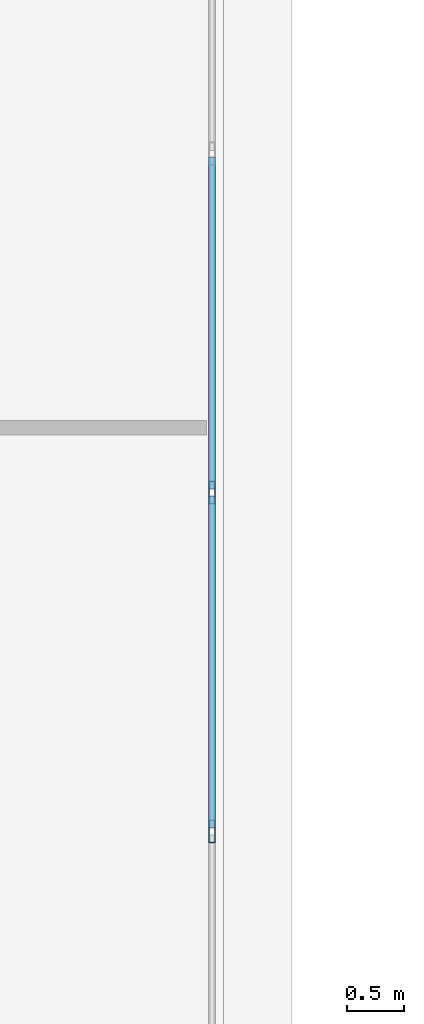
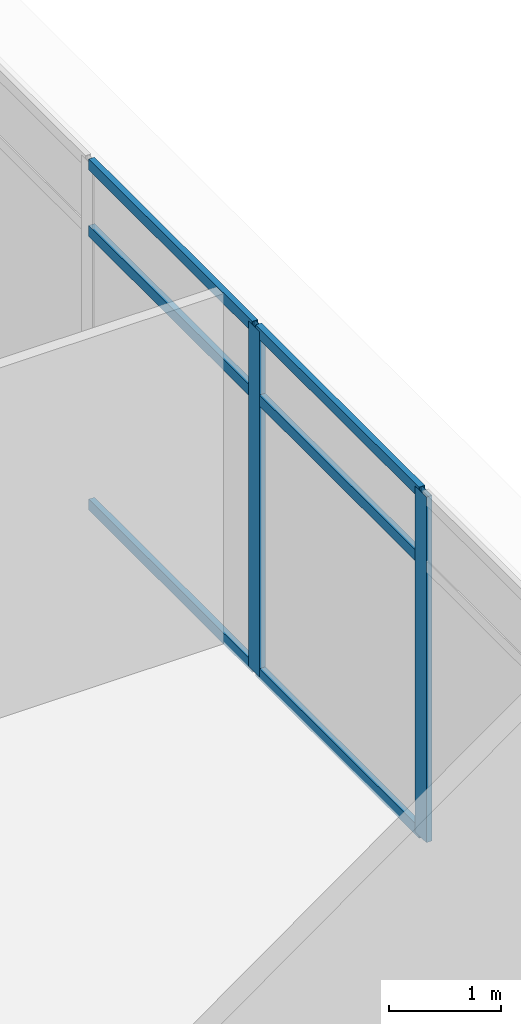
# One storey, part 21 of 38: 8 members, 1 element without a shape of its own.
"""IFC4 building model written with IfcOpenShell, lengths in metres."""

from ifc_helpers import new_model, si_unit, direction, frame, origin, origin_2d, place, context, subcontext, project, spatial, hollow_rectangle, extrude, source, transform, mapped, material, material_profile, profile_set, type_object, element, aggregate, save


model = new_model("IFC4")

# Units and contexts
model_context = context("Model", 3, precision=1e-05, world=origin(), true_north=direction((0.0, 1.0)))
body_context = subcontext(model_context, "Body", "Model", "MODEL_VIEW")
ifc_project = project(units=[si_unit("LENGTHUNIT", "METRE"), si_unit("AREAUNIT", "SQUARE_METRE"), si_unit("VOLUMEUNIT", "CUBIC_METRE"), si_unit("PLANEANGLEUNIT", "RADIAN"), si_unit("MASSUNIT", "GRAM", prefix="KILO")], contexts=[model_context])

# Site, building, storey
site_placement = place(None, origin())
site = spatial("IfcSite", under=ifc_project, at=site_placement, CompositionType="ELEMENT")
building_placement = place(site_placement, origin())
building = spatial("IfcBuilding", under=site, at=building_placement, Name="Khomas Fold Tower", CompositionType="ELEMENT")
storey_placement = place(building_placement, frame((0.0, 0.0, 172.699951171875)))
storey = spatial("IfcBuildingStorey", under=building, at=storey_placement, Name="L37", CompositionType="ELEMENT", Elevation=172.699951171875)

# Curtain wall, members
ifc_material_1 = material(Name="Aluminium framed double glazing", Category="aluminium")
curtain_wall_type = type_object("IfcCurtainWallType", Name="Notch glazing GN-CW", PredefinedType="NOTDEFINED", material=ifc_material_1)
curtain_wall_placement = place(storey_placement, origin())
curtain_wall = element("IfcCurtainWall", 1, at=curtain_wall_placement, inside=storey, type_object=curtain_wall_type, Name="Notch glazing run", PredefinedType="NOTDEFINED")
ifc_material_2 = material(Name="Aluminium", Category="aluminium")
ifc_material_profile_1 = material_profile(ifc_material_2, hollow_rectangle(XDim=0.06005859375, YDim=0.1201171875, WallThickness=0.00390625, at=origin_2d()), Name="Notch glazing transom GN-CW-T")
ifc_profile_set_1 = profile_set([ifc_material_profile_1], Name="Aluminium")
member_type_1 = type_object("IfcMemberType", Name="Notch glazing transom GN-CW-T", PredefinedType="USERDEFINED", material=ifc_profile_set_1)
shared_shape_1 = source(origin(), body_context, "Body", "SweptSolid", [
    extrude(hollow_rectangle(XDim=0.06005859375, YDim=0.1201171875, WallThickness=0.00390625, at=origin_2d()), origin(), (0.0, 0.0, 1.0), 2.90673828125),
])
member_1_placement = place(storey_placement, frame((32.050048828125, 35.99658203125, 0.030029296875), z_axis=(0.0, 1.0, 0.0), x_axis=(-1.0, 0.0, 0.0)))
member_1 = element("IfcMember", 2, at=member_1_placement, type_object=member_type_1, Name="GN-CW transom 2.1", ObjectType="TRANSOM", PredefinedType="USERDEFINED", context=body_context, shape_type="MappedRepresentation", body=[
    mapped(shared_shape_1, transform((0.0, 0.0, 0.0))),
])
member_2_placement = place(storey_placement, frame((32.050048828125, 35.99658203125, 3.0), z_axis=(0.0, 1.0, 0.0), x_axis=(-1.0, 0.0, 0.0)))
member_2 = element("IfcMember", 3, at=member_2_placement, type_object=member_type_1, Name="GN-CW transom 2.2", ObjectType="TRANSOM", PredefinedType="USERDEFINED", context=body_context, shape_type="MappedRepresentation", body=[
    mapped(shared_shape_1, transform((0.0, 0.0, 0.0))),
])
member_3_placement = place(storey_placement, frame((32.050048828125, 35.99658203125, 3.719970703125), z_axis=(0.0, 1.0, 0.0), x_axis=(-1.0, 0.0, 0.0)))
member_3 = element("IfcMember", 4, at=member_3_placement, type_object=member_type_1, Name="GN-CW transom 2.3", ObjectType="TRANSOM", PredefinedType="USERDEFINED", context=body_context, shape_type="MappedRepresentation", body=[
    mapped(shared_shape_1, transform((0.0, 0.0, 0.0))),
])
member_4_placement = place(storey_placement, frame((32.050048828125, 38.96337890625, 0.030029296875), z_axis=(0.0, 1.0, 0.0), x_axis=(-1.0, 0.0, 0.0)))
member_4 = element("IfcMember", 5, at=member_4_placement, type_object=member_type_1, Name="GN-CW transom 3.1", ObjectType="TRANSOM", PredefinedType="USERDEFINED", context=body_context, shape_type="MappedRepresentation", body=[
    mapped(shared_shape_1, transform((0.0, 0.0, 0.0))),
])
member_5_placement = place(storey_placement, frame((32.050048828125, 38.96337890625, 3.0), z_axis=(0.0, 1.0, 0.0), x_axis=(-1.0, 0.0, 0.0)))
member_5 = element("IfcMember", 6, at=member_5_placement, type_object=member_type_1, Name="GN-CW transom 3.2", ObjectType="TRANSOM", PredefinedType="USERDEFINED", context=body_context, shape_type="MappedRepresentation", body=[
    mapped(shared_shape_1, transform((0.0, 0.0, 0.0))),
])
member_6_placement = place(storey_placement, frame((32.050048828125, 38.96337890625, 3.719970703125), z_axis=(0.0, 1.0, 0.0), x_axis=(-1.0, 0.0, 0.0)))
member_6 = element("IfcMember", 7, at=member_6_placement, type_object=member_type_1, Name="GN-CW transom 3.3", ObjectType="TRANSOM", PredefinedType="USERDEFINED", context=body_context, shape_type="MappedRepresentation", body=[
    mapped(shared_shape_1, transform((0.0, 0.0, 0.0))),
])
ifc_material_3 = material(Name="Aluminium", Category="aluminium")
ifc_material_profile_2 = material_profile(ifc_material_3, hollow_rectangle(XDim=0.06005859375, YDim=0.199951171875, WallThickness=0.00390625, at=origin_2d()), Name="Notch glazing mullion GN-CW-M")
ifc_profile_set_2 = profile_set([ifc_material_profile_2], Name="Aluminium")
member_type_2 = type_object("IfcMemberType", Name="Notch glazing mullion GN-CW-M", PredefinedType="MULLION", material=ifc_profile_set_2)
shared_shape_2 = source(origin(), body_context, "Body", "SweptSolid", [
    extrude(hollow_rectangle(XDim=0.06005859375, YDim=0.199951171875, WallThickness=0.00390625, at=origin_2d()), origin(), (0.0, 0.0, 1.0), 3.75),
])
member_7_placement = place(storey_placement, frame((32.050048828125, 35.966552734375, 0.0), z_axis=(0.0, 0.0, 1.0), x_axis=(-1.0, 0.0, 0.0)))
member_7 = element("IfcMember", 8, at=member_7_placement, type_object=member_type_2, Name="GN-CW mullion 2", PredefinedType="MULLION", context=body_context, shape_type="MappedRepresentation", body=[
    mapped(shared_shape_2, transform((0.0, 0.0, 0.0))),
])
member_8_placement = place(storey_placement, frame((32.050048828125, 38.933349609375, 0.0), z_axis=(0.0, 0.0, 1.0), x_axis=(-1.0, 0.0, 0.0)))
member_8 = element("IfcMember", 9, at=member_8_placement, type_object=member_type_2, Name="GN-CW mullion 3", PredefinedType="MULLION", context=body_context, shape_type="MappedRepresentation", body=[
    mapped(shared_shape_2, transform((0.0, 0.0, 0.0))),
])
aggregate(curtain_wall, [member_7, member_8, member_1, member_2, member_3, member_4, member_5, member_6])

save(model, "model.ifc")
